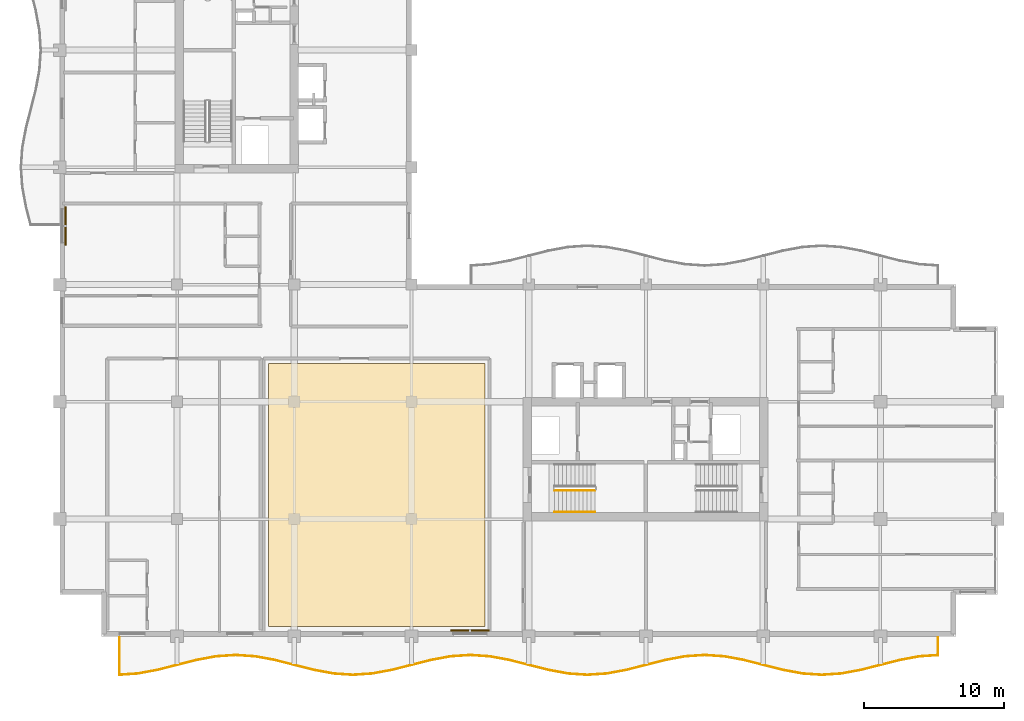
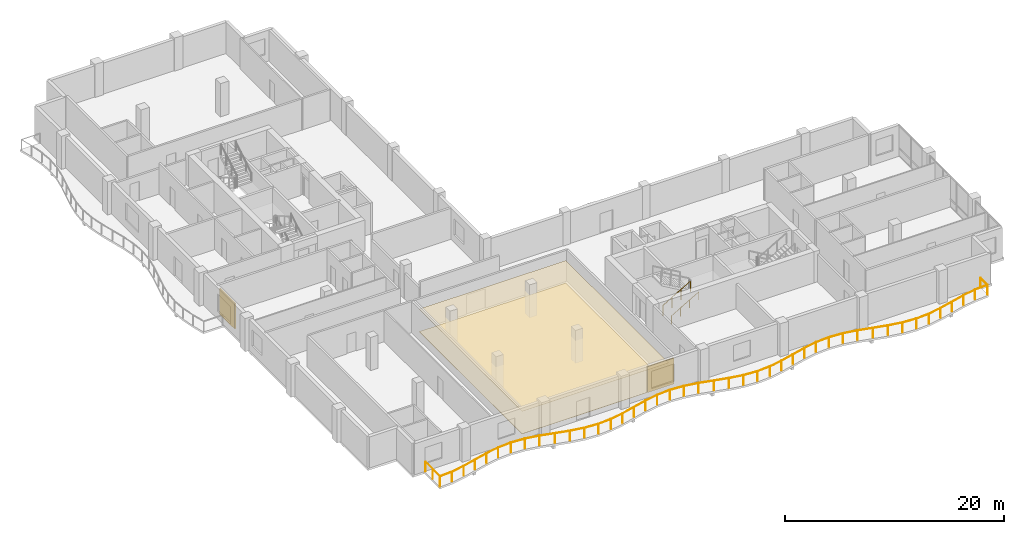
# One storey, part 13 of 16: 3 railings, 2 coverings, 2 shading devices.
"""IFC4 building model written with IfcOpenShell, lengths in metres."""

from ifc_helpers import new_model, si_unit, direction, frame, origin, origin_2d, place, context, subcontext, project, spatial, polyline, rectangle, circle, outline, extrude, material, layer, layer_set, type_object, element, save


model = new_model("IFC4")

# Units and contexts
model_context = context("Model", 3, precision=1e-05, world=origin(), true_north=direction((0.0, 1.0)))
body_context = subcontext(model_context, "Body", "Model", "MODEL_VIEW")
ifc_project = project(units=[si_unit("LENGTHUNIT", "METRE"), si_unit("AREAUNIT", "SQUARE_METRE"), si_unit("VOLUMEUNIT", "CUBIC_METRE"), si_unit("PLANEANGLEUNIT", "RADIAN"), si_unit("MASSUNIT", "GRAM", prefix="KILO")], contexts=[model_context])

# Site, building, storey
site_placement = place(None, origin())
site = spatial("IfcSite", under=ifc_project, at=site_placement, CompositionType="ELEMENT")
building_placement = place(site_placement, origin())
building = spatial("IfcBuilding", under=site, at=building_placement, Name="Koriwani Terraces Tower", CompositionType="ELEMENT")
storey_placement = place(building_placement, frame((0.0, 0.0, 274.89990234375)))
storey = spatial("IfcBuildingStorey", under=building, at=storey_placement, Name="L68", CompositionType="ELEMENT", Elevation=274.89990234375)

# Coverings
ifc_material_1 = material(Name="Fire-Rated Acoustic Gypsum Partition", Category="masonry")
ifc_layer_1 = layer(ifc_material_1, 0.02490234375, Name="Fire-Rated Acoustic Gypsum Partition")
ifc_layer_set_1 = layer_set([ifc_layer_1], Name="Fire-Rated Acoustic Gypsum Partition")
covering_type_1 = type_object("IfcCoveringType", Name="CEILING_ACOUSTIC_GYPSUM", PredefinedType="CEILING", material=ifc_layer_set_1)
covering_1_placement = place(storey_placement, frame((0.0, 0.0, 2.525146484375)))
element("IfcCovering", 1, at=covering_1_placement, inside=storey, type_object=covering_type_1, Name="L68 Suspended Acoustic Gypsum Ceiling", PredefinedType="CEILING", context=body_context, shape_type="SweptSolid", body=[
    extrude(outline(polyline([(23.35009765625, 9.10009765625), (23.35009765625, 27.949951171875), (38.85009765625, 27.949951171875), (38.85009765625, 9.10009765625), (23.35009765625, 9.10009765625)])), origin(), (0.0, 0.0, 1.0), 0.02490234375),
])
ifc_material_2 = material(Name="Polished Andean Slate Flooring", Category="masonry")
ifc_layer_2 = layer(ifc_material_2, 0.030029296875, Name="Polished Andean Slate Flooring")
ifc_layer_set_2 = layer_set([ifc_layer_2], Name="Polished Andean Slate Flooring")
covering_type_2 = type_object("IfcCoveringType", Name="FLOORING_ANDEAN_STONE", PredefinedType="FLOORING", material=ifc_layer_set_2)
covering_2_placement = place(storey_placement, origin())
element("IfcCovering", 2, at=covering_2_placement, inside=storey, type_object=covering_type_2, Name="L68 Polished Andean Slate Floor Finish", PredefinedType="FLOORING", context=body_context, shape_type="SweptSolid", body=[
    extrude(outline(polyline([(23.35009765625, 9.10009765625), (23.35009765625, 27.949951171875), (38.85009765625, 27.949951171875), (38.85009765625, 9.10009765625), (23.35009765625, 9.10009765625)])), origin(), (0.0, 0.0, 1.0), 0.030029296875),
])

# Railings
ifc_material_3 = material(Name="Steel ASTM A572 Grade 50", Category="steel")
railing_type_1 = type_object("IfcRailingType", Name="GUARD_BALUSTRADE_1150", PredefinedType="BALUSTRADE", material=ifc_material_3)
railing_1_placement = place(storey_placement, frame((12.679931640625, 8.320068359375, 0.0)))
element("IfcRailing", 3, at=railing_1_placement, inside=storey, type_object=railing_type_1, Name="L68 Balcony Perimeter Safety Balustrade (S)", PredefinedType="BALUSTRADE", context=body_context, shape_type="SweptSolid", body=[
    extrude(circle(Radius=0.02392578125, at=origin_2d()), frame((0.0, 0.0, 1.1259765625), z_axis=(0.0, -1.0, 0.0), x_axis=(1.0, 0.0, 0.0)), (0.0, 0.0, 1.0), 2.6845703125),
    extrude(circle(Radius=0.02392578125, at=origin_2d()), frame((0.0, -2.6845703125, 1.1259765625), z_axis=(0.997694577512, 0.06786405531, 0.0), x_axis=(-0.06786405531, 0.997694577512, 0.0)), (0.0, 0.0, 1.0), 1.31298828125),
    extrude(circle(Radius=0.02392578125, at=origin_2d()), frame((1.31005859375, -2.595458984375, 1.1259765625), z_axis=(0.98320420208, 0.182508895706, 0.0), x_axis=(-0.182508895706, 0.98320420208, 0.0)), (0.0, 0.0, 1.0), 1.41650390625),
    extrude(circle(Radius=0.02392578125, at=origin_2d()), frame((2.702880859375, -2.3369140625, 1.1259765625), z_axis=(0.969326714928, 0.245775750895, 0.0), x_axis=(-0.245775750895, 0.969326714928, 0.0)), (0.0, 0.0, 1.0), 2.888671875),
    extrude(circle(Radius=0.02392578125, at=origin_2d()), frame((5.5029296875, -1.626953125, 1.1259765625), z_axis=(0.983233329212, 0.182351913416, 0.0), x_axis=(-0.182351913416, 0.983233329212, 0.0)), (0.0, 0.0, 1.0), 1.43115234375),
    extrude(circle(Radius=0.02392578125, at=origin_2d()), frame((6.91015625, -1.365966796875, 1.1259765625), z_axis=(0.997704165633, 0.067722949425, 0.0), x_axis=(-0.067722949425, 0.997704165633, 0.0)), (0.0, 0.0, 1.0), 1.4130859375),
    extrude(circle(Radius=0.02392578125, at=origin_2d()), frame((8.320068359375, -1.270263671875, 1.1259765625), z_axis=(0.997704165633, -0.067722949425, 0.0), x_axis=(0.067722949425, 0.997704165633, 0.0)), (0.0, 0.0, 1.0), 1.4130859375),
    extrude(circle(Radius=0.02392578125, at=origin_2d()), frame((9.72998046875, -1.365966796875, 1.1259765625), z_axis=(0.983233329212, -0.182351913416, 0.0), x_axis=(0.182351913416, 0.983233329212, 0.0)), (0.0, 0.0, 1.0), 1.43115234375),
    extrude(circle(Radius=0.02392578125, at=origin_2d()), frame((11.13720703125, -1.626953125, 1.1259765625), z_axis=(0.969326714928, -0.245775750895, 0.0), x_axis=(0.245775750895, 0.969326714928, 0.0)), (0.0, 0.0, 1.0), 2.888671875),
    extrude(circle(Radius=0.02392578125, at=origin_2d()), frame((13.937255859375, -2.3369140625, 1.1259765625), z_axis=(0.98320420208, -0.182508895706, 0.0), x_axis=(0.182508895706, 0.98320420208, 0.0)), (0.0, 0.0, 1.0), 1.41650390625),
    extrude(circle(Radius=0.02392578125, at=origin_2d()), frame((15.330078125, -2.595458984375, 1.1259765625), z_axis=(0.997697457915, -0.067821696155, 0.0), x_axis=(0.067821696155, 0.997697457915, 0.0)), (0.0, 0.0, 1.0), 1.39306640625),
    extrude(circle(Radius=0.02392578125, at=origin_2d()), frame((16.719970703125, -2.68994140625, 1.1259765625), z_axis=(0.997698263815, 0.067809839848, 0.0), x_axis=(-0.067809839848, 0.997698263815, 0.0)), (0.0, 0.0, 1.0), 1.393310546875),
    extrude(circle(Radius=0.02392578125, at=origin_2d()), frame((18.110107421875, -2.595458984375, 1.1259765625), z_axis=(0.98320420208, 0.182508895706, 0.0), x_axis=(-0.182508895706, 0.98320420208, 0.0)), (0.0, 0.0, 1.0), 1.41650390625),
    extrude(circle(Radius=0.02392578125, at=origin_2d()), frame((19.5029296875, -2.3369140625, 1.1259765625), z_axis=(0.969326714928, 0.245775750895, 0.0), x_axis=(-0.245775750895, 0.969326714928, 0.0)), (0.0, 0.0, 1.0), 2.888671875),
    extrude(circle(Radius=0.02392578125, at=origin_2d()), frame((22.302978515625, -1.626953125, 1.1259765625), z_axis=(0.983227655562, 0.182382502828, 0.0), x_axis=(-0.182382502828, 0.983227655562, 0.0)), (0.0, 0.0, 1.0), 1.430908203125),
    extrude(circle(Radius=0.02392578125, at=origin_2d()), frame((23.7099609375, -1.365966796875, 1.1259765625), z_axis=(0.997704957786, 0.067711278299, 0.0), x_axis=(-0.067711278299, 0.997704957786, 0.0)), (0.0, 0.0, 1.0), 1.413330078125),
    extrude(circle(Radius=0.02392578125, at=origin_2d()), frame((25.1201171875, -1.270263671875, 1.1259765625), z_axis=(0.997704165633, -0.067722949425, 0.0), x_axis=(0.067722949425, 0.997704165633, 0.0)), (0.0, 0.0, 1.0), 1.4130859375),
    extrude(circle(Radius=0.02392578125, at=origin_2d()), frame((26.530029296875, -1.365966796875, 1.1259765625), z_axis=(0.983233329212, -0.182351913416, 0.0), x_axis=(0.182351913416, 0.983233329212, 0.0)), (0.0, 0.0, 1.0), 1.43115234375),
    extrude(circle(Radius=0.02392578125, at=origin_2d()), frame((27.937255859375, -1.626953125, 1.1259765625), z_axis=(0.969326714928, -0.245775750895, 0.0), x_axis=(0.245775750895, 0.969326714928, 0.0)), (0.0, 0.0, 1.0), 2.888671875),
    extrude(circle(Radius=0.02392578125, at=origin_2d()), frame((30.7373046875, -2.3369140625, 1.1259765625), z_axis=(0.98320420208, -0.182508895706, 0.0), x_axis=(0.182508895706, 0.98320420208, 0.0)), (0.0, 0.0, 1.0), 1.41650390625),
    extrude(circle(Radius=0.02392578125, at=origin_2d()), frame((32.130126953125, -2.595458984375, 1.1259765625), z_axis=(0.997697457915, -0.067821696155, 0.0), x_axis=(0.067821696155, 0.997697457915, 0.0)), (0.0, 0.0, 1.0), 1.39306640625),
    extrude(circle(Radius=0.02392578125, at=origin_2d()), frame((33.52001953125, -2.68994140625, 1.1259765625), z_axis=(0.997698263815, 0.067809839848, 0.0), x_axis=(-0.067809839848, 0.997698263815, 0.0)), (0.0, 0.0, 1.0), 1.393310546875),
    extrude(circle(Radius=0.02392578125, at=origin_2d()), frame((34.91015625, -2.595458984375, 1.1259765625), z_axis=(0.98320420208, 0.182508895706, 0.0), x_axis=(-0.182508895706, 0.98320420208, 0.0)), (0.0, 0.0, 1.0), 1.41650390625),
    extrude(circle(Radius=0.02392578125, at=origin_2d()), frame((36.302978515625, -2.3369140625, 1.1259765625), z_axis=(0.969326714928, 0.245775750895, 0.0), x_axis=(-0.245775750895, 0.969326714928, 0.0)), (0.0, 0.0, 1.0), 2.888671875),
    extrude(circle(Radius=0.02392578125, at=origin_2d()), frame((39.10302734375, -1.626953125, 1.1259765625), z_axis=(0.983227655562, 0.182382502828, 0.0), x_axis=(-0.182382502828, 0.983227655562, 0.0)), (0.0, 0.0, 1.0), 1.430908203125),
    extrude(circle(Radius=0.02392578125, at=origin_2d()), frame((40.510009765625, -1.365966796875, 1.1259765625), z_axis=(0.997704957786, 0.067711278299, 0.0), x_axis=(-0.067711278299, 0.997704957786, 0.0)), (0.0, 0.0, 1.0), 1.413330078125),
    extrude(circle(Radius=0.02392578125, at=origin_2d()), frame((41.920166015625, -1.270263671875, 1.1259765625), z_axis=(0.997704165633, -0.067722949425, 0.0), x_axis=(0.067722949425, 0.997704165633, 0.0)), (0.0, 0.0, 1.0), 1.4130859375),
    extrude(circle(Radius=0.02392578125, at=origin_2d()), frame((43.330078125, -1.365966796875, 1.1259765625), z_axis=(0.983227655562, -0.182382502828, 0.0), x_axis=(0.182382502828, 0.983227655562, 0.0)), (0.0, 0.0, 1.0), 1.430908203125),
    extrude(circle(Radius=0.02392578125, at=origin_2d()), frame((44.737060546875, -1.626953125, 1.1259765625), z_axis=(0.969331819617, -0.245755617389, 0.0), x_axis=(0.245755617389, 0.969331819617, 0.0)), (0.0, 0.0, 1.0), 2.888916015625),
    extrude(circle(Radius=0.02392578125, at=origin_2d()), frame((47.537353515625, -2.3369140625, 1.1259765625), z_axis=(0.98320420208, -0.182508895706, 0.0), x_axis=(0.182508895706, 0.98320420208, 0.0)), (0.0, 0.0, 1.0), 1.41650390625),
    extrude(circle(Radius=0.02392578125, at=origin_2d()), frame((48.93017578125, -2.595458984375, 1.1259765625), z_axis=(0.997697457915, -0.067821696155, 0.0), x_axis=(0.067821696155, 0.997697457915, 0.0)), (0.0, 0.0, 1.0), 1.39306640625),
    extrude(circle(Radius=0.02392578125, at=origin_2d()), frame((50.320068359375, -2.68994140625, 1.1259765625), z_axis=(0.997697457915, 0.067821696155, 0.0), x_axis=(-0.067821696155, 0.997697457915, 0.0)), (0.0, 0.0, 1.0), 1.39306640625),
    extrude(circle(Radius=0.02392578125, at=origin_2d()), frame((51.7099609375, -2.595458984375, 1.1259765625), z_axis=(0.98320420208, 0.182508895706, 0.0), x_axis=(-0.182508895706, 0.98320420208, 0.0)), (0.0, 0.0, 1.0), 1.41650390625),
    extrude(circle(Radius=0.02392578125, at=origin_2d()), frame((53.102783203125, -2.3369140625, 1.1259765625), z_axis=(0.969331819617, 0.245755617389, 0.0), x_axis=(-0.245755617389, 0.969331819617, 0.0)), (0.0, 0.0, 1.0), 2.888916015625),
    extrude(circle(Radius=0.02392578125, at=origin_2d()), frame((55.903076171875, -1.626953125, 1.1259765625), z_axis=(0.983227655562, 0.182382502828, 0.0), x_axis=(-0.182382502828, 0.983227655562, 0.0)), (0.0, 0.0, 1.0), 1.430908203125),
    extrude(circle(Radius=0.02392578125, at=origin_2d()), frame((57.31005859375, -1.365966796875, 1.1259765625), z_axis=(0.997676908726, 0.068123313151, 0.0), x_axis=(-0.068123313151, 0.997676908726, 0.0)), (0.0, 0.0, 1.0), 1.333251953125),
    extrude(circle(Radius=0.02392578125, at=origin_2d()), frame((58.64013671875, -1.275146484375, 1.1259765625), z_axis=(0.0, 1.0, 0.0), x_axis=(-1.0, 0.0, 0.0)), (0.0, 0.0, 1.0), 1.275146484375),
    extrude(circle(Radius=0.02099609375, at=origin_2d()), origin(), (0.0, 0.0, 1.0), 1.101806640625),
    extrude(circle(Radius=0.02099609375, at=origin_2d()), frame((0.0, -1.34228515625, 0.0)), (0.0, 0.0, 1.0), 1.101806640625),
    extrude(circle(Radius=0.02099609375, at=origin_2d()), frame((0.0, -2.6845703125, 0.0)), (0.0, 0.0, 1.0), 1.101806640625),
    extrude(circle(Radius=0.02099609375, at=origin_2d()), frame((1.31005859375, -2.595458984375, 0.0)), (0.0, 0.0, 1.0), 1.101806640625),
    extrude(circle(Radius=0.02099609375, at=origin_2d()), frame((2.702880859375, -2.3369140625, 0.0)), (0.0, 0.0, 1.0), 1.101806640625),
    extrude(circle(Radius=0.02099609375, at=origin_2d()), frame((4.10302734375, -1.98193359375, 0.0)), (0.0, 0.0, 1.0), 1.101806640625),
    extrude(circle(Radius=0.02099609375, at=origin_2d()), frame((5.5029296875, -1.626953125, 0.0)), (0.0, 0.0, 1.0), 1.101806640625),
    extrude(circle(Radius=0.02099609375, at=origin_2d()), frame((6.91015625, -1.365966796875, 0.0)), (0.0, 0.0, 1.0), 1.101806640625),
    extrude(circle(Radius=0.02099609375, at=origin_2d()), frame((8.320068359375, -1.270263671875, 0.0)), (0.0, 0.0, 1.0), 1.101806640625),
    extrude(circle(Radius=0.02099609375, at=origin_2d()), frame((9.72998046875, -1.365966796875, 0.0)), (0.0, 0.0, 1.0), 1.101806640625),
    extrude(circle(Radius=0.02099609375, at=origin_2d()), frame((11.13720703125, -1.626953125, 0.0)), (0.0, 0.0, 1.0), 1.101806640625),
    extrude(circle(Radius=0.02099609375, at=origin_2d()), frame((12.537109375, -1.98193359375, 0.0)), (0.0, 0.0, 1.0), 1.101806640625),
    extrude(circle(Radius=0.02099609375, at=origin_2d()), frame((13.937255859375, -2.3369140625, 0.0)), (0.0, 0.0, 1.0), 1.101806640625),
    extrude(circle(Radius=0.02099609375, at=origin_2d()), frame((15.330078125, -2.595458984375, 0.0)), (0.0, 0.0, 1.0), 1.101806640625),
    extrude(circle(Radius=0.02099609375, at=origin_2d()), frame((16.719970703125, -2.68994140625, 0.0)), (0.0, 0.0, 1.0), 1.101806640625),
    extrude(circle(Radius=0.02099609375, at=origin_2d()), frame((18.110107421875, -2.595458984375, 0.0)), (0.0, 0.0, 1.0), 1.101806640625),
    extrude(circle(Radius=0.02099609375, at=origin_2d()), frame((19.5029296875, -2.3369140625, 0.0)), (0.0, 0.0, 1.0), 1.101806640625),
    extrude(circle(Radius=0.02099609375, at=origin_2d()), frame((20.90283203125, -1.98193359375, 0.0)), (0.0, 0.0, 1.0), 1.101806640625),
    extrude(circle(Radius=0.02099609375, at=origin_2d()), frame((22.302978515625, -1.626953125, 0.0)), (0.0, 0.0, 1.0), 1.101806640625),
    extrude(circle(Radius=0.02099609375, at=origin_2d()), frame((23.7099609375, -1.365966796875, 0.0)), (0.0, 0.0, 1.0), 1.101806640625),
    extrude(circle(Radius=0.02099609375, at=origin_2d()), frame((25.1201171875, -1.270263671875, 0.0)), (0.0, 0.0, 1.0), 1.101806640625),
    extrude(circle(Radius=0.02099609375, at=origin_2d()), frame((26.530029296875, -1.365966796875, 0.0)), (0.0, 0.0, 1.0), 1.101806640625),
    extrude(circle(Radius=0.02099609375, at=origin_2d()), frame((27.937255859375, -1.626953125, 0.0)), (0.0, 0.0, 1.0), 1.101806640625),
    extrude(circle(Radius=0.02099609375, at=origin_2d()), frame((29.33740234375, -1.98193359375, 0.0)), (0.0, 0.0, 1.0), 1.101806640625),
    extrude(circle(Radius=0.02099609375, at=origin_2d()), frame((30.7373046875, -2.3369140625, 0.0)), (0.0, 0.0, 1.0), 1.101806640625),
    extrude(circle(Radius=0.02099609375, at=origin_2d()), frame((32.130126953125, -2.595458984375, 0.0)), (0.0, 0.0, 1.0), 1.101806640625),
    extrude(circle(Radius=0.02099609375, at=origin_2d()), frame((33.52001953125, -2.68994140625, 0.0)), (0.0, 0.0, 1.0), 1.101806640625),
    extrude(circle(Radius=0.02099609375, at=origin_2d()), frame((34.91015625, -2.595458984375, 0.0)), (0.0, 0.0, 1.0), 1.101806640625),
    extrude(circle(Radius=0.02099609375, at=origin_2d()), frame((36.302978515625, -2.3369140625, 0.0)), (0.0, 0.0, 1.0), 1.101806640625),
    extrude(circle(Radius=0.02099609375, at=origin_2d()), frame((37.703125, -1.98193359375, 0.0)), (0.0, 0.0, 1.0), 1.101806640625),
    extrude(circle(Radius=0.02099609375, at=origin_2d()), frame((39.10302734375, -1.626953125, 0.0)), (0.0, 0.0, 1.0), 1.101806640625),
    extrude(circle(Radius=0.02099609375, at=origin_2d()), frame((40.510009765625, -1.365966796875, 0.0)), (0.0, 0.0, 1.0), 1.101806640625),
    extrude(circle(Radius=0.02099609375, at=origin_2d()), frame((41.920166015625, -1.270263671875, 0.0)), (0.0, 0.0, 1.0), 1.101806640625),
    extrude(circle(Radius=0.02099609375, at=origin_2d()), frame((43.330078125, -1.365966796875, 0.0)), (0.0, 0.0, 1.0), 1.101806640625),
    extrude(circle(Radius=0.02099609375, at=origin_2d()), frame((44.737060546875, -1.626953125, 0.0)), (0.0, 0.0, 1.0), 1.101806640625),
    extrude(circle(Radius=0.02099609375, at=origin_2d()), frame((46.13720703125, -1.98193359375, 0.0)), (0.0, 0.0, 1.0), 1.101806640625),
    extrude(circle(Radius=0.02099609375, at=origin_2d()), frame((47.537353515625, -2.3369140625, 0.0)), (0.0, 0.0, 1.0), 1.101806640625),
    extrude(circle(Radius=0.02099609375, at=origin_2d()), frame((48.93017578125, -2.595458984375, 0.0)), (0.0, 0.0, 1.0), 1.101806640625),
    extrude(circle(Radius=0.02099609375, at=origin_2d()), frame((50.320068359375, -2.68994140625, 0.0)), (0.0, 0.0, 1.0), 1.101806640625),
    extrude(circle(Radius=0.02099609375, at=origin_2d()), frame((51.7099609375, -2.595458984375, 0.0)), (0.0, 0.0, 1.0), 1.101806640625),
    extrude(circle(Radius=0.02099609375, at=origin_2d()), frame((53.102783203125, -2.3369140625, 0.0)), (0.0, 0.0, 1.0), 1.101806640625),
    extrude(circle(Radius=0.02099609375, at=origin_2d()), frame((54.5029296875, -1.98193359375, 0.0)), (0.0, 0.0, 1.0), 1.101806640625),
    extrude(circle(Radius=0.02099609375, at=origin_2d()), frame((55.903076171875, -1.626953125, 0.0)), (0.0, 0.0, 1.0), 1.101806640625),
    extrude(circle(Radius=0.02099609375, at=origin_2d()), frame((57.31005859375, -1.365966796875, 0.0)), (0.0, 0.0, 1.0), 1.101806640625),
    extrude(circle(Radius=0.02099609375, at=origin_2d()), frame((58.64013671875, -1.275146484375, 0.0)), (0.0, 0.0, 1.0), 1.101806640625),
    extrude(circle(Radius=0.02099609375, at=origin_2d()), frame((58.64013671875, 0.0, 0.0)), (0.0, 0.0, 1.0), 1.101806640625),
])
railing_type_2 = type_object("IfcRailingType", Name="GUARD_STAIR_WELL_1120", PredefinedType="GUARDRAIL", material=ifc_material_3)
railing_2_placement = place(storey_placement, frame((43.85009765625, 18.85009765625, 0.168212890625)))
element("IfcRailing", 4, at=railing_2_placement, inside=storey, type_object=railing_type_2, Name="L68 ST-E1 stair guard 1", PredefinedType="GUARDRAIL", context=body_context, shape_type="SweptSolid", body=[
    extrude(circle(Radius=0.02392578125, at=origin_2d()), frame((0.0, 0.0, 1.1259765625), z_axis=(0.865038774852, 0.0, 0.501705010941), x_axis=(0.0, 1.0, 0.0)), (0.0, 0.0, 1.0), 3.352294921875),
    extrude(circle(Radius=0.02099609375, at=origin_2d()), origin(), (0.0, 0.0, 1.0), 1.101806640625),
    extrude(circle(Radius=0.02099609375, at=origin_2d()), frame((0.966552734375, 0.0, 0.560546875)), (0.0, 0.0, 1.0), 1.101806640625),
    extrude(circle(Radius=0.02099609375, at=origin_2d()), frame((1.933349609375, 0.0, 1.121337890625)), (0.0, 0.0, 1.0), 1.101806640625),
    extrude(circle(Radius=0.02099609375, at=origin_2d()), frame((2.89990234375, 0.0, 1.681884765625)), (0.0, 0.0, 1.0), 1.101806640625),
])
railing_type_3 = type_object("IfcRailingType", Name="HANDRAIL_STAIR_920", PredefinedType="HANDRAIL", material=ifc_material_3)
railing_3_placement = place(storey_placement, frame((43.85009765625, 17.300048828125, 0.168212890625)))
element("IfcRailing", 5, at=railing_3_placement, inside=storey, type_object=railing_type_3, Name="L68 ST-E1 stair handrail 1", PredefinedType="HANDRAIL", context=body_context, shape_type="SweptSolid", body=[
    extrude(circle(Radius=0.02392578125, at=origin_2d()), frame((0.0, 0.0, 0.8759765625), z_axis=(0.865038774852, 0.0, 0.501705010941), x_axis=(0.0, 1.0, 0.0)), (0.0, 0.0, 1.0), 3.352294921875),
    extrude(circle(Radius=0.02099609375, at=origin_2d()), origin(), (0.0, 0.0, 1.0), 0.851806640625),
    extrude(circle(Radius=0.02099609375, at=origin_2d()), frame((0.966552734375, 0.0, 0.560546875)), (0.0, 0.0, 1.0), 0.851806640625),
    extrude(circle(Radius=0.02099609375, at=origin_2d()), frame((1.933349609375, 0.0, 1.121337890625)), (0.0, 0.0, 1.0), 0.851806640625),
    extrude(circle(Radius=0.02099609375, at=origin_2d()), frame((2.89990234375, 0.0, 1.681884765625)), (0.0, 0.0, 1.0), 0.851806640625),
])

# Shading devices
ifc_material_4 = material(Name="Extruded Terracotta Clay", Category="masonry")
ifc_layer_3 = layer(ifc_material_4, 0.1201171875, Name="Extruded Terracotta Clay")
ifc_layer_set_3 = layer_set([ifc_layer_3], Name="Extruded Terracotta Clay")
shading_device_type = type_object("IfcShadingDeviceType", Name="TERRACOTTA_BAGUETTE_SCREEN_2800", PredefinedType="USERDEFINED", material=ifc_layer_set_3)
for number, where, z_axis, x_axis, name in (
    (6, (8.804931640625, 37.800048828125, 0.28515625), (0.0, 0.0, 1.0), (0.0, 1.0, 0.0), "L68 Extruded Terracotta Baguette Screen (W-9)"),
    (7, (37.800048828125, 8.804931640625, 0.28515625), (0.0, 0.0, 1.0), (-1.0, 0.0, 0.0), "L68 Extruded Terracotta Baguette Screen (S-9)"),
):
    element("IfcShadingDevice", number, at=place(storey_placement, frame(where, z_axis=z_axis, x_axis=x_axis)), inside=storey, type_object=shading_device_type, Name=name, ObjectType="BAGUETTE", PredefinedType="USERDEFINED", context=body_context, shape_type="SweptSolid", body=[
        extrude(rectangle(XDim=2.760009765625, YDim=0.1201171875, at=origin_2d()), origin(), (0.0, 0.0, 1.0), 2.89990234375),
    ])

save(model, "model.ifc")
